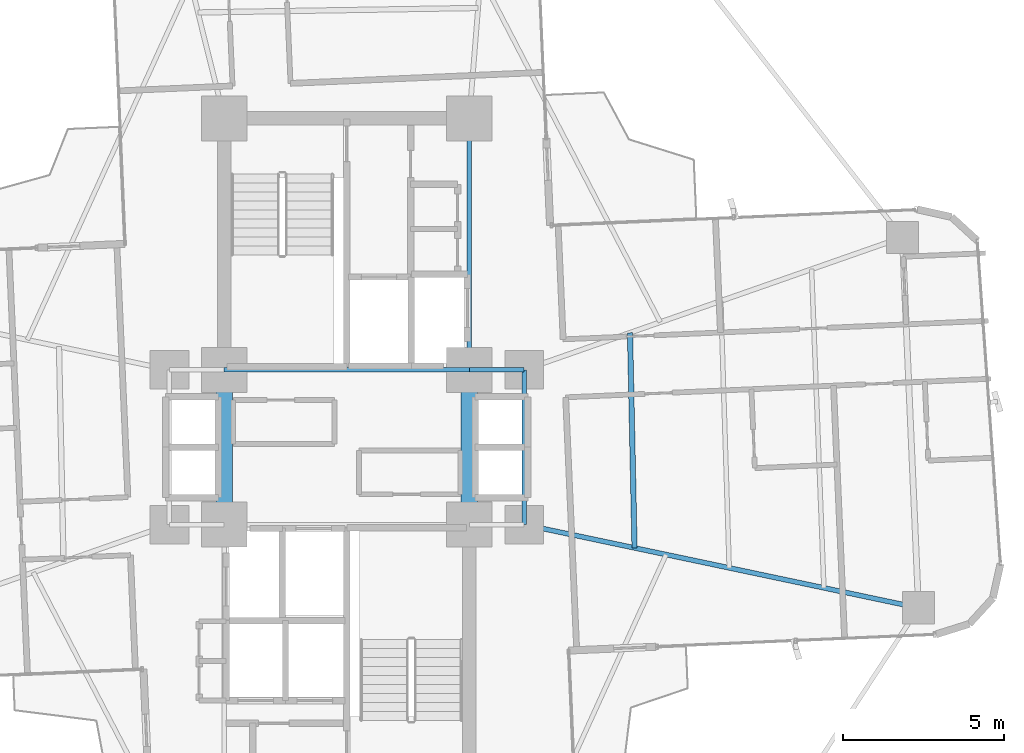
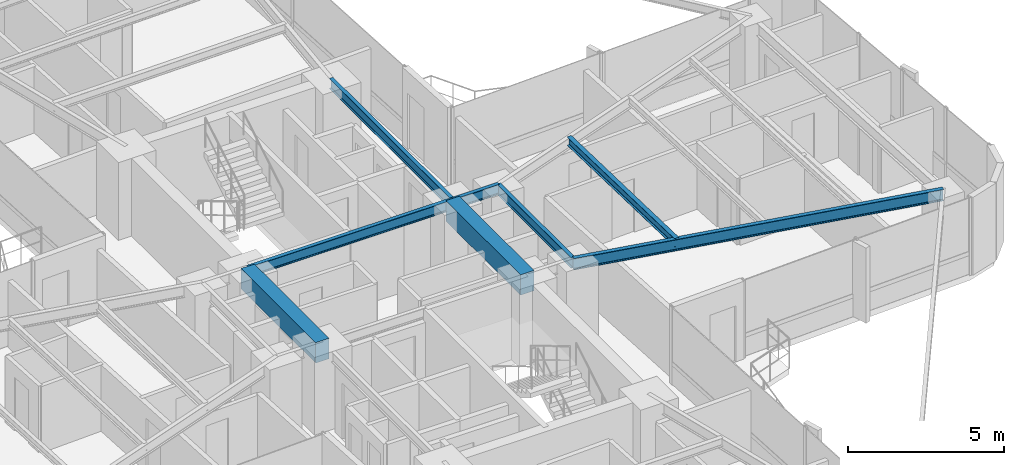
# One storey, part 12 of 27: 8 beams.
"""IFC4 building model written with IfcOpenShell, lengths in metres."""

from ifc_helpers import new_model, si_unit, direction, frame, origin, origin_2d, place, context, subcontext, project, spatial, rectangle, i_section, extrude, source, transform, mapped, material, material_profile, profile_set, type_object, element, save


model = new_model("IFC4")

# Units and contexts
model_context = context("Model", 3, precision=1e-05, world=origin(), true_north=direction((0.0, 1.0)))
body_context = subcontext(model_context, "Body", "Model", "MODEL_VIEW")
ifc_project = project(units=[si_unit("LENGTHUNIT", "METRE"), si_unit("AREAUNIT", "SQUARE_METRE"), si_unit("VOLUMEUNIT", "CUBIC_METRE"), si_unit("PLANEANGLEUNIT", "RADIAN"), si_unit("MASSUNIT", "GRAM", prefix="KILO")], contexts=[model_context])

# Site, building, storey
site_placement = place(None, origin())
site = spatial("IfcSite", under=ifc_project, at=site_placement, CompositionType="ELEMENT")
building_placement = place(site_placement, origin())
building = spatial("IfcBuilding", under=site, at=building_placement, Name="Sahyath Konkavel Grand Hotel", CompositionType="ELEMENT")
storey_placement = place(building_placement, frame((0.0, 0.0, 103.60009765625)))
storey = spatial("IfcBuildingStorey", under=building, at=storey_placement, Name="L28", CompositionType="ELEMENT", Elevation=103.60009765625)

# Beams
ifc_material_1 = material(Name="Steel E350", Category="steel")
ifc_material_profile_1 = material_profile(ifc_material_1, i_section(OverallWidth=0.139892578125, OverallDepth=0.39990234375, WebThickness=0.0087890625, FlangeThickness=0.01611328125, FilletRadius=0.013916015625, at=origin_2d()), Name="ISMB 400")
ifc_profile_set_1 = profile_set([ifc_material_profile_1], Name="Steel E350")
beam_type_1 = type_object("IfcBeamType", Name="BM-ISMB400", PredefinedType="BEAM", material=ifc_profile_set_1)
shared_shape_1 = source(origin(), body_context, "Body", "SweptSolid", [
    extrude(i_section(OverallWidth=0.139892578125, OverallDepth=0.39990234375, WebThickness=0.0087890625, FlangeThickness=0.01611328125, FilletRadius=0.013916015625, at=origin_2d()), origin(), (0.0, 0.0, 1.0), 7.60009765625),
])
beam_1_placement = place(storey_placement, frame((-3.800048828125, 2.39990234375, 2.849853515625), z_axis=(1.0, 0.0, 0.0), x_axis=(0.0, 1.0, 0.0)))
element("IfcBeam", 1, at=beam_1_placement, inside=storey, type_object=beam_type_1, Name="str:bm:L28:NC-S", PredefinedType="BEAM", context=body_context, shape_type="MappedRepresentation", body=[
    mapped(shared_shape_1, transform((0.0, 0.0, 0.0), scale=1.0)),
])
shared_shape_2 = source(origin(), body_context, "Body", "SweptSolid", [
    extrude(i_section(OverallWidth=0.139892578125, OverallDepth=0.39990234375, WebThickness=0.0087890625, FlangeThickness=0.01611328125, FilletRadius=0.013916015625, at=origin_2d()), origin(), (0.0, 0.0, 1.0), 7.800048828125),
])
beam_2_placement = place(storey_placement, frame((3.800048828125, 2.39990234375, 2.849853515625), z_axis=(0.0, 1.0, 0.0), x_axis=(-1.0, 0.0, 0.0)))
element("IfcBeam", 2, at=beam_2_placement, inside=storey, type_object=beam_type_1, Name="str:bm:L28:NC-E", PredefinedType="BEAM", context=body_context, shape_type="MappedRepresentation", body=[
    mapped(shared_shape_2, transform((0.0, 0.0, 0.0), scale=1.0)),
])
shared_shape_3 = source(origin(), body_context, "Body", "SweptSolid", [
    extrude(i_section(OverallWidth=0.139892578125, OverallDepth=0.39990234375, WebThickness=0.0087890625, FlangeThickness=0.01611328125, FilletRadius=0.013916015625, at=origin_2d()), origin(), (0.0, 0.0, 1.0), 1.699951171875),
])
beam_3_placement = place(storey_placement, frame((3.800048828125, 2.39990234375, 2.849853515625), z_axis=(1.0, 0.0, 0.0), x_axis=(0.0, 1.0, 0.0)))
element("IfcBeam", 3, at=beam_3_placement, inside=storey, type_object=beam_type_1, Name="str:bm:L28:HB-NE", PredefinedType="BEAM", context=body_context, shape_type="MappedRepresentation", body=[
    mapped(shared_shape_3, transform((0.0, 0.0, 0.0), scale=1.0)),
])
shared_shape_4 = source(origin(), body_context, "Body", "SweptSolid", [
    extrude(i_section(OverallWidth=0.139892578125, OverallDepth=0.39990234375, WebThickness=0.0087890625, FlangeThickness=0.01611328125, FilletRadius=0.013916015625, at=origin_2d()), origin(), (0.0, 0.0, 1.0), 4.7998046875),
])
beam_4_placement = place(storey_placement, frame((5.5, -2.39990234375, 2.849853515625), z_axis=(0.0, 1.0, 0.0), x_axis=(-1.0, 0.0, 0.0)))
element("IfcBeam", 4, at=beam_4_placement, inside=storey, type_object=beam_type_1, Name="str:bm:L28:HB-E", PredefinedType="BEAM", context=body_context, shape_type="MappedRepresentation", body=[
    mapped(shared_shape_4, transform((0.0, 0.0, 0.0), scale=1.0)),
])
ifc_material_2 = material(Name="Concrete C50/60", Category="concrete")
ifc_material_profile_2 = material_profile(ifc_material_2, rectangle(XDim=0.5, YDim=0.800048828125, at=origin_2d()), Name="RC 500x800")
ifc_profile_set_2 = profile_set([ifc_material_profile_2], Name="Concrete C50/60")
beam_type_2 = type_object("IfcBeamType", Name="BM-CB500x800", PredefinedType="LINTEL", material=ifc_profile_set_2)
shared_shape_5 = source(origin(), body_context, "Body", "SweptSolid", [
    extrude(rectangle(XDim=0.5, YDim=0.800048828125, at=origin_2d()), origin(), (0.0, 0.0, 1.0), 4.7998046875),
])
for number, where, z_axis, x_axis, name in (
    (5, (-3.800048828125, -2.39990234375, 2.64990234375), (0.0, 1.0, 0.0), (-1.0, 0.0, 0.0), "L28 Split-Core Coupling Beam West"),
    (6, (3.800048828125, -2.39990234375, 2.64990234375), (0.0, 1.0, 0.0), (-1.0, 0.0, 0.0), "L28 Split-Core Coupling Beam East"),
):
    element("IfcBeam", number, at=place(storey_placement, frame(where, z_axis=z_axis, x_axis=x_axis)), inside=storey, type_object=beam_type_2, Name=name, PredefinedType="LINTEL", context=body_context, shape_type="MappedRepresentation", body=[
        mapped(shared_shape_5, transform((0.0, 0.0, 0.0), scale=1.0)),
    ])
ifc_material_profile_3 = material_profile(ifc_material_1, i_section(OverallWidth=0.14990234375, OverallDepth=0.449951171875, WebThickness=0.009521484375, FlangeThickness=0.017333984375, FilletRadius=0.014892578125, at=origin_2d()), Name="ISMB 450")
ifc_profile_set_3 = profile_set([ifc_material_profile_3], Name="Steel E350")
beam_type_3 = type_object("IfcBeamType", Name="BM-ISMB450", PredefinedType="BEAM", material=ifc_profile_set_3)
shared_shape_6 = source(origin(), body_context, "Body", "SweptSolid", [
    extrude(i_section(OverallWidth=0.14990234375, OverallDepth=0.449951171875, WebThickness=0.009521484375, FlangeThickness=0.017333984375, FilletRadius=0.014892578125, at=origin_2d()), origin(), (0.0, 0.0, 1.0), 12.50341796875),
])
beam_5_placement = place(storey_placement, frame((5.5, -2.39990234375, 2.824951171875), z_axis=(0.978457911392, -0.206446398937, 0.0), x_axis=(0.206446398937, 0.978457911392, 0.0)))
element("IfcBeam", 7, at=beam_5_placement, inside=storey, type_object=beam_type_3, Name="L28 Cruciform Radial Girder EA", PredefinedType="BEAM", context=body_context, shape_type="MappedRepresentation", body=[
    mapped(shared_shape_6, transform((0.0, 0.0, 0.0), scale=1.0)),
])
ifc_material_profile_4 = material_profile(ifc_material_1, i_section(OverallWidth=0.1650390625, OverallDepth=0.324951171875, WebThickness=0.007080078125, FlangeThickness=0.009765625, FilletRadius=0.014892578125, at=origin_2d()), Name="ISLB 325")
ifc_profile_set_4 = profile_set([ifc_material_profile_4], Name="Steel E350")
beam_type_4 = type_object("IfcBeamType", Name="BM-ISLB325", PredefinedType="BEAM", material=ifc_profile_set_4)
shared_shape_7 = source(origin(), body_context, "Body", "SweptSolid", [
    extrude(i_section(OverallWidth=0.1650390625, OverallDepth=0.324951171875, WebThickness=0.007080078125, FlangeThickness=0.009765625, FilletRadius=0.014892578125, at=origin_2d()), origin(), (0.0, 0.0, 1.0), 6.674560546875),
])
beam_6_placement = place(storey_placement, frame((8.925537109375, -3.122802734375, 2.887451171875), z_axis=(-0.021032188543, 0.999778799058, 0.0), x_axis=(-0.999778799058, -0.021032188543, 0.0)))
element("IfcBeam", 8, at=beam_6_placement, inside=storey, type_object=beam_type_4, Name="L28 Secondary Floor Beam E-1", PredefinedType="BEAM", context=body_context, shape_type="MappedRepresentation", body=[
    mapped(shared_shape_7, transform((0.0, 0.0, 0.0), scale=1.0)),
])

save(model, "model.ifc")
